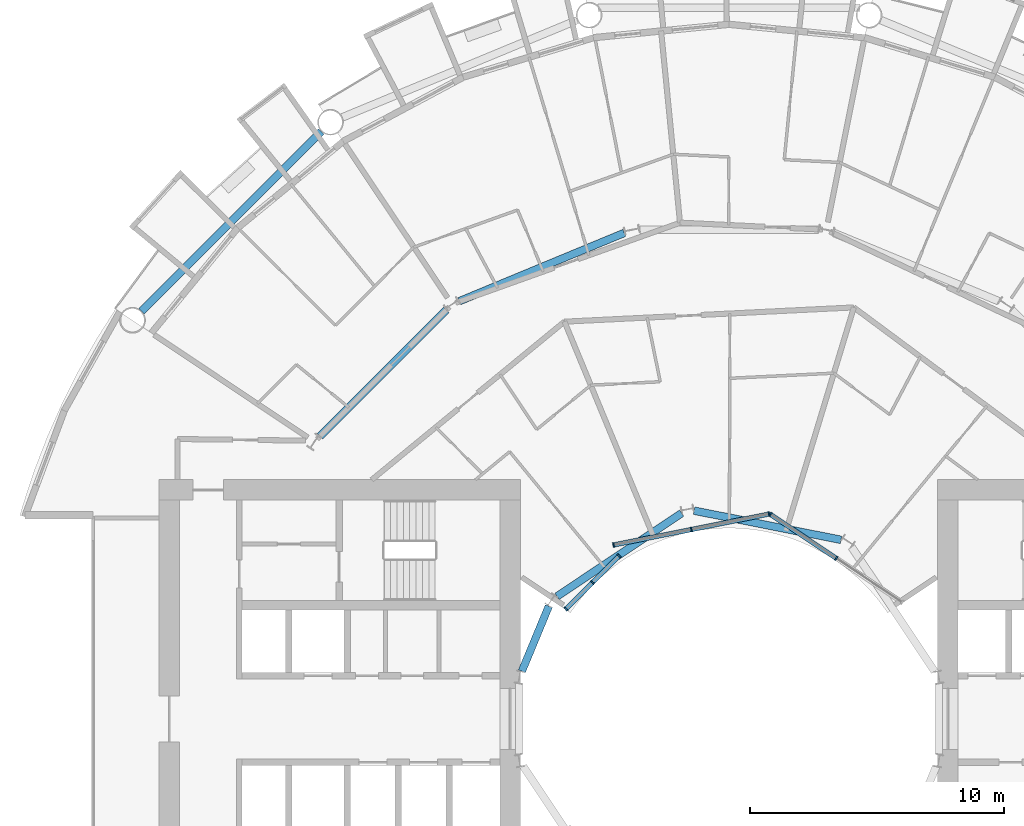
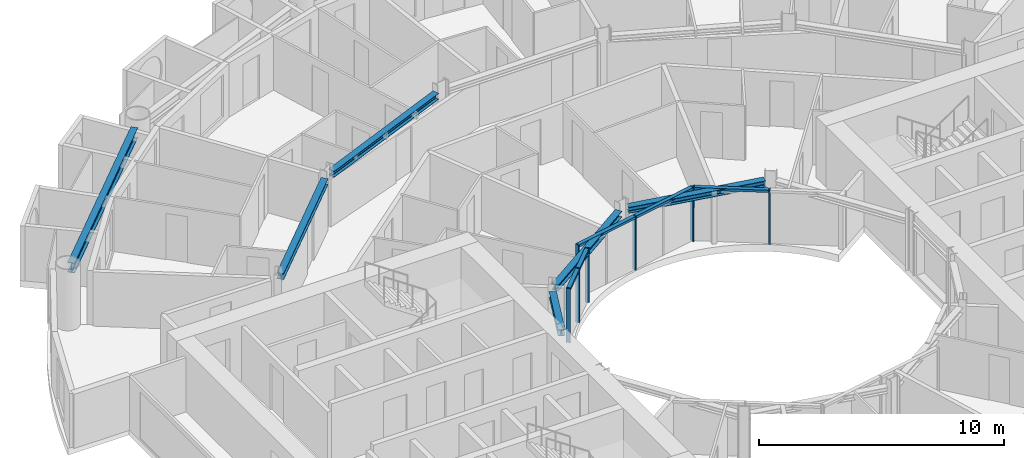
# One storey, part 7 of 26: 13 members, 6 beams, 3 elements without a shape of their own.
"""IFC4 building model written with IfcOpenShell, lengths in metres."""

from ifc_helpers import new_model, si_unit, direction, frame, origin, origin_2d, place, context, subcontext, project, spatial, rectangle, i_section, extrude, material, layer, layer_set, material_profile, profile_set, type_object, element, aggregate, save


model = new_model("IFC4")

# Units and contexts
model_context = context("Model", 3, precision=1e-05, world=origin(), true_north=direction((0.0, 1.0)))
body_context = subcontext(model_context, "Body", "Model", "MODEL_VIEW")
ifc_project = project(units=[si_unit("LENGTHUNIT", "METRE"), si_unit("AREAUNIT", "SQUARE_METRE"), si_unit("VOLUMEUNIT", "CUBIC_METRE"), si_unit("PLANEANGLEUNIT", "RADIAN"), si_unit("MASSUNIT", "GRAM", prefix="KILO")], contexts=[model_context])

# Site, building, storey
site_placement = place(None, origin())
site = spatial("IfcSite", under=ifc_project, at=site_placement, CompositionType="ELEMENT")
building_placement = place(site_placement, origin())
building = spatial("IfcBuilding", under=site, at=building_placement, Name="Maasbend Ring Residences", CompositionType="ELEMENT")
storey_placement = place(building_placement, frame((0.0, 0.0, 44.14990234375)))
storey = spatial("IfcBuildingStorey", under=building, at=storey_placement, Name="L12", CompositionType="ELEMENT", Elevation=44.14990234375)

# Curtain wall, members
ifc_material_1 = material(Name="Aluminium and clear glass", Category="aluminium")
ifc_layer = layer(ifc_material_1, 0.179931640625)
ifc_layer_set = layer_set([ifc_layer], Name="CW-W")
curtain_wall_type = type_object("IfcCurtainWallType", Name="CW-W", PredefinedType="NOTDEFINED", material=ifc_layer_set)
curtain_wall_1_placement = place(storey_placement, origin())
curtain_wall_1 = element("IfcCurtainWall", 1, at=curtain_wall_1_placement, inside=storey, type_object=curtain_wall_type, Name="Well curtain wall N1", PredefinedType="NOTDEFINED")
ifc_material_2 = material(Name="Aluminium 6063-T6", Category="aluminium")
ifc_material_profile_1 = material_profile(ifc_material_2, rectangle(XDim=0.179931640625, YDim=0.06005859375, at=origin_2d()), Name="AL 180x60")
ifc_profile_set_1 = profile_set([ifc_material_profile_1], Name="Aluminium 6063-T6")
member_type_1 = type_object("IfcMemberType", Name="CWM-W", PredefinedType="MULLION", material=ifc_profile_set_1)
member_1_placement = place(storey_placement, frame((4.216796875, 6.310791015625, 0.0), z_axis=(0.0, 0.0, 1.0), x_axis=(-0.55557023302, -0.831469612303, 0.0)))
member_1 = element("IfcMember", 2, at=member_1_placement, type_object=member_type_1, Name="Mullion well face", PredefinedType="MULLION", context=body_context, shape_type="SweptSolid", body=[
    extrude(rectangle(XDim=0.179931640625, YDim=0.06005859375, at=origin_2d()), origin(), (0.0, 0.0, 1.0), 2.7001953125),
])
member_2_placement = place(storey_placement, frame((1.627685546875, 8.040771484375, 0.0), z_axis=(0.0, 0.0, 1.0), x_axis=(-0.55557023302, -0.831469612303, 0.0)))
member_2 = element("IfcMember", 3, at=member_2_placement, type_object=member_type_1, Name="Mullion well face", PredefinedType="MULLION", context=body_context, shape_type="SweptSolid", body=[
    extrude(rectangle(XDim=0.179931640625, YDim=0.06005859375, at=origin_2d()), origin(), (0.0, 0.0, 1.0), 2.7001953125),
])

curtain_wall_2_placement = place(storey_placement, origin())
curtain_wall_2 = element("IfcCurtainWall", 4, at=curtain_wall_2_placement, inside=storey, type_object=curtain_wall_type, Name="Well curtain wall N2", PredefinedType="NOTDEFINED")
member_3_placement = place(storey_placement, frame((1.5732421875, 8.0517578125, 0.0), z_axis=(0.0, 0.0, 1.0), x_axis=(0.195090322016, -0.980785280403, 0.0)))
member_3 = element("IfcMember", 5, at=member_3_placement, type_object=member_type_1, Name="Mullion well face", PredefinedType="MULLION", context=body_context, shape_type="SweptSolid", body=[
    extrude(rectangle(XDim=0.179931640625, YDim=0.06005859375, at=origin_2d()), origin(), (0.0, 0.0, 1.0), 2.7001953125),
])
member_4_placement = place(storey_placement, frame((-1.480712890625, 7.444091796875, 0.0), z_axis=(0.0, 0.0, 1.0), x_axis=(0.195090322016, -0.980785280403, 0.0)))
member_4 = element("IfcMember", 6, at=member_4_placement, type_object=member_type_1, Name="Mullion well face", PredefinedType="MULLION", context=body_context, shape_type="SweptSolid", body=[
    extrude(rectangle(XDim=0.179931640625, YDim=0.06005859375, at=origin_2d()), origin(), (0.0, 0.0, 1.0), 2.7001953125),
])
member_5_placement = place(storey_placement, frame((-4.53466796875, 6.836669921875, 0.0), z_axis=(0.0, 0.0, 1.0), x_axis=(0.195090322016, -0.980785280403, 0.0)))
member_5 = element("IfcMember", 7, at=member_5_placement, type_object=member_type_1, Name="Mullion well face", PredefinedType="MULLION", context=body_context, shape_type="SweptSolid", body=[
    extrude(rectangle(XDim=0.179931640625, YDim=0.06005859375, at=origin_2d()), origin(), (0.0, 0.0, 1.0), 2.7001953125),
])

curtain_wall_3_placement = place(storey_placement, origin())
curtain_wall_3 = element("IfcCurtainWall", 8, at=curtain_wall_3_placement, inside=storey, type_object=curtain_wall_type, Name="Well curtain wall N3", PredefinedType="NOTDEFINED")
member_6_placement = place(storey_placement, frame((-4.320556640625, 6.413330078125, 0.0), z_axis=(0.0, 0.0, 1.0), x_axis=(0.707106781187, -0.707106781187, 0.0)))
member_6 = element("IfcMember", 9, at=member_6_placement, type_object=member_type_1, Name="Mullion well face", PredefinedType="MULLION", context=body_context, shape_type="SweptSolid", body=[
    extrude(rectangle(XDim=0.179931640625, YDim=0.06005859375, at=origin_2d()), origin(), (0.0, 0.0, 1.0), 2.7001953125),
])
member_7_placement = place(storey_placement, frame((-5.366943359375, 5.366943359375, 0.0), z_axis=(0.0, 0.0, 1.0), x_axis=(0.707106781187, -0.707106781187, 0.0)))
member_7 = element("IfcMember", 10, at=member_7_placement, type_object=member_type_1, Name="Mullion well face", PredefinedType="MULLION", context=body_context, shape_type="SweptSolid", body=[
    extrude(rectangle(XDim=0.179931640625, YDim=0.06005859375, at=origin_2d()), origin(), (0.0, 0.0, 1.0), 2.7001953125),
])
member_8_placement = place(storey_placement, frame((-6.413330078125, 4.320556640625, 0.0), z_axis=(0.0, 0.0, 1.0), x_axis=(0.707106781187, -0.707106781187, 0.0)))
member_8 = element("IfcMember", 11, at=member_8_placement, type_object=member_type_1, Name="Mullion well face", PredefinedType="MULLION", context=body_context, shape_type="SweptSolid", body=[
    extrude(rectangle(XDim=0.179931640625, YDim=0.06005859375, at=origin_2d()), origin(), (0.0, 0.0, 1.0), 2.7001953125),
])

# Member
ifc_material_3 = material(Name="Aluminium 6063-T6", Category="aluminium")
ifc_material_profile_2 = material_profile(ifc_material_3, rectangle(XDim=0.179931640625, YDim=0.1201171875, at=origin_2d()), Name="AL 180x120")
ifc_profile_set_2 = profile_set([ifc_material_profile_2], Name="Aluminium 6063-T6")
member_type_2 = type_object("IfcMemberType", Name="CWT-W", PredefinedType="USERDEFINED", material=ifc_profile_set_2)
member_9_placement = place(storey_placement, frame((4.19189453125, 6.32763671875, 2.64013671875), z_axis=(-0.831496422459, 0.555530106689, 0.0), x_axis=(-0.555530106689, -0.831496422459, 0.0)))
member_9 = element("IfcMember", 12, at=member_9_placement, type_object=member_type_2, Name="Transom well face", ObjectType="TRANSOM", PredefinedType="USERDEFINED", context=body_context, shape_type="SweptSolid", body=[
    extrude(rectangle(XDim=0.179931640625, YDim=0.1201171875, at=origin_2d()), origin(), (0.0, 0.0, 1.0), 3.053955078125),
])

aggregate(curtain_wall_1, [member_1, member_2, member_9])

member_10_placement = place(storey_placement, frame((1.5439453125, 8.0458984375, 2.64013671875), z_axis=(-0.980776956105, -0.195132166424, 0.0), x_axis=(0.195132166424, -0.980776956105, 0.0)))
member_10 = element("IfcMember", 13, at=member_10_placement, type_object=member_type_2, Name="Transom well face", ObjectType="TRANSOM", PredefinedType="USERDEFINED", context=body_context, shape_type="SweptSolid", body=[
    extrude(rectangle(XDim=0.179931640625, YDim=0.1201171875, at=origin_2d()), origin(), (0.0, 0.0, 1.0), 3.053955078125),
])

member_11_placement = place(storey_placement, frame((-1.51025390625, 7.438232421875, 2.64013671875), z_axis=(-0.980789210404, -0.19507056353, 0.0), x_axis=(0.19507056353, -0.980789210404, 0.0)))
member_11 = element("IfcMember", 14, at=member_11_placement, type_object=member_type_2, Name="Transom well face", ObjectType="TRANSOM", PredefinedType="USERDEFINED", context=body_context, shape_type="SweptSolid", body=[
    extrude(rectangle(XDim=0.179931640625, YDim=0.1201171875, at=origin_2d()), origin(), (0.0, 0.0, 1.0), 3.0537109375),
])

aggregate(curtain_wall_2, [member_3, member_4, member_5, member_10, member_11])

member_12_placement = place(storey_placement, frame((-4.341796875, 6.39208984375, 2.64013671875), z_axis=(-0.707106781187, -0.707106781187, 0.0), x_axis=(0.707106781187, -0.707106781187, 0.0)))
member_12 = element("IfcMember", 15, at=member_12_placement, type_object=member_type_2, Name="Transom well face", ObjectType="TRANSOM", PredefinedType="USERDEFINED", context=body_context, shape_type="SweptSolid", body=[
    extrude(rectangle(XDim=0.179931640625, YDim=0.1201171875, at=origin_2d()), origin(), (0.0, 0.0, 1.0), 1.419677734375),
])

member_13_placement = place(storey_placement, frame((-5.38818359375, 5.345703125, 2.64013671875), z_axis=(-0.707106781187, -0.707106781187, 0.0), x_axis=(0.707106781187, -0.707106781187, 0.0)))
member_13 = element("IfcMember", 16, at=member_13_placement, type_object=member_type_2, Name="Transom well face", ObjectType="TRANSOM", PredefinedType="USERDEFINED", context=body_context, shape_type="SweptSolid", body=[
    extrude(rectangle(XDim=0.179931640625, YDim=0.1201171875, at=origin_2d()), origin(), (0.0, 0.0, 1.0), 1.419677734375),
])

aggregate(curtain_wall_3, [member_6, member_7, member_8, member_12, member_13])

# Beams
ifc_material_4 = material(Name="Steel S355J2", Category="steel")
ifc_material_profile_3 = material_profile(ifc_material_4, i_section(OverallWidth=0.300048828125, OverallDepth=0.300048828125, WebThickness=0.010986328125, FlangeThickness=0.01904296875, FilletRadius=0.027099609375, at=origin_2d()), Name="HEB 300")
ifc_profile_set_3 = profile_set([ifc_material_profile_3], Name="Steel S355J2")
beam_type_1 = type_object("IfcBeamType", Name="Corridor ring beam HEB 300", PredefinedType="BEAM", material=ifc_profile_set_3)
beam_1_placement = place(storey_placement, frame((-4.11572265625, 19.102294921875, 2.550048828125), z_axis=(-0.923886196809, -0.38266734293, 0.0), x_axis=(0.38266734293, -0.923886196809, 0.0)))
element("IfcBeam", 17, at=beam_1_placement, inside=storey, type_object=beam_type_1, Name="Corridor ring beam", PredefinedType="BEAM", context=body_context, shape_type="SweptSolid", body=[
    extrude(i_section(OverallWidth=0.300048828125, OverallDepth=0.300048828125, WebThickness=0.010986328125, FlangeThickness=0.01904296875, FilletRadius=0.027099609375, at=origin_2d()), origin(), (0.0, 0.0, 1.0), 7.015380859375),
])
beam_2_placement = place(storey_placement, frame((-11.11279296875, 16.0732421875, 2.550048828125), z_axis=(-0.707106781187, -0.707106781187, 0.0), x_axis=(0.707106781187, -0.707106781187, 0.0)))
element("IfcBeam", 18, at=beam_2_placement, inside=storey, type_object=beam_type_1, Name="Corridor ring beam", PredefinedType="BEAM", context=body_context, shape_type="SweptSolid", body=[
    extrude(i_section(OverallWidth=0.300048828125, OverallDepth=0.300048828125, WebThickness=0.010986328125, FlangeThickness=0.01904296875, FilletRadius=0.027099609375, at=origin_2d()), origin(), (0.0, 0.0, 1.0), 7.01513671875),
])
ifc_material_5 = material(Name="Steel S355J2", Category="steel")
ifc_material_profile_4 = material_profile(ifc_material_5, i_section(OverallWidth=0.300048828125, OverallDepth=0.5, WebThickness=0.014404296875, FlangeThickness=0.028076171875, FilletRadius=0.027099609375, at=origin_2d()), Name="HEB 500")
ifc_profile_set_4 = profile_set([ifc_material_profile_4], Name="Steel S355J2")
beam_type_2 = type_object("IfcBeamType", Name="Spandrel ring beam HEB 500", PredefinedType="SPANDREL", material=ifc_profile_set_4)
beam_3_placement = place(storey_placement, frame((-16.0263671875, 23.088134765625, 2.4501953125), z_axis=(-0.707106781187, -0.707106781187, 0.0), x_axis=(0.707106781187, -0.707106781187, 0.0)))
element("IfcBeam", 19, at=beam_3_placement, inside=storey, type_object=beam_type_2, Name="Spandrel ring beam", PredefinedType="SPANDREL", context=body_context, shape_type="SweptSolid", body=[
    extrude(i_section(OverallWidth=0.300048828125, OverallDepth=0.5, WebThickness=0.014404296875, FlangeThickness=0.028076171875, FilletRadius=0.027099609375, at=origin_2d()), origin(), (0.0, 0.0, 1.0), 9.98681640625),
])
ifc_material_6 = material(Name="Steel S355J2", Category="steel")
ifc_material_profile_5 = material_profile(ifc_material_6, i_section(OverallWidth=0.300048828125, OverallDepth=0.300048828125, WebThickness=0.010986328125, FlangeThickness=0.01904296875, FilletRadius=0.027099609375, at=origin_2d()), Name="HEB 300")
ifc_profile_set_5 = profile_set([ifc_material_profile_5], Name="Steel S355J2")
beam_type_3 = type_object("IfcBeamType", Name="Well edge beam HEB 300", PredefinedType="BEAM", material=ifc_profile_set_5)
beam_4_placement = place(storey_placement, frame((4.4013671875, 7.037109375, 2.550048828125), z_axis=(-0.980784282486, 0.195095338819, 0.0), x_axis=(-0.195095338819, -0.980784282486, 0.0)))
element("IfcBeam", 20, at=beam_4_placement, inside=storey, type_object=beam_type_3, Name="Well edge beam", PredefinedType="BEAM", context=body_context, shape_type="SweptSolid", body=[
    extrude(i_section(OverallWidth=0.300048828125, OverallDepth=0.300048828125, WebThickness=0.010986328125, FlangeThickness=0.01904296875, FilletRadius=0.027099609375, at=origin_2d()), origin(), (0.0, 0.0, 1.0), 5.8876953125),
])
beam_5_placement = place(storey_placement, frame((-1.86376953125, 8.08837890625, 2.550048828125), z_axis=(-0.831456549723, -0.555589782054, 0.0), x_axis=(0.555589782054, -0.831456549723, 0.0)))
element("IfcBeam", 21, at=beam_5_placement, inside=storey, type_object=beam_type_3, Name="Well edge beam", PredefinedType="BEAM", context=body_context, shape_type="SweptSolid", body=[
    extrude(i_section(OverallWidth=0.300048828125, OverallDepth=0.300048828125, WebThickness=0.010986328125, FlangeThickness=0.01904296875, FilletRadius=0.027099609375, at=origin_2d()), origin(), (0.0, 0.0, 1.0), 5.887939453125),
])
beam_6_placement = place(storey_placement, frame((-7.081787109375, 4.431396484375, 2.550048828125), z_axis=(-0.382723119906, -0.923863092395, 0.0), x_axis=(0.923863092395, -0.382723119906, 0.0)))
element("IfcBeam", 22, at=beam_6_placement, inside=storey, type_object=beam_type_3, Name="Well edge beam", PredefinedType="BEAM", context=body_context, shape_type="SweptSolid", body=[
    extrude(i_section(OverallWidth=0.300048828125, OverallDepth=0.300048828125, WebThickness=0.010986328125, FlangeThickness=0.01904296875, FilletRadius=0.027099609375, at=origin_2d()), origin(), (0.0, 0.0, 1.0), 2.767822265625),
])

save(model, "model.ifc")
